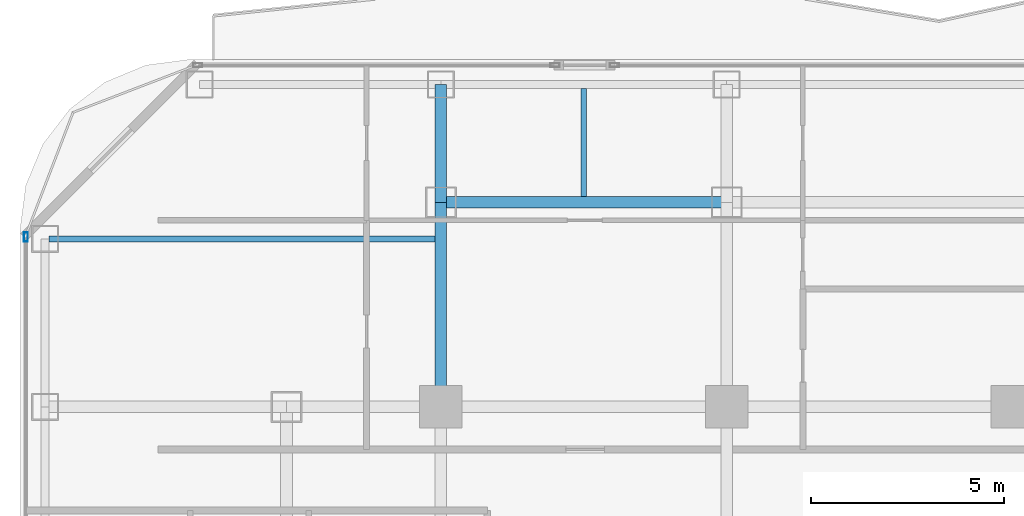
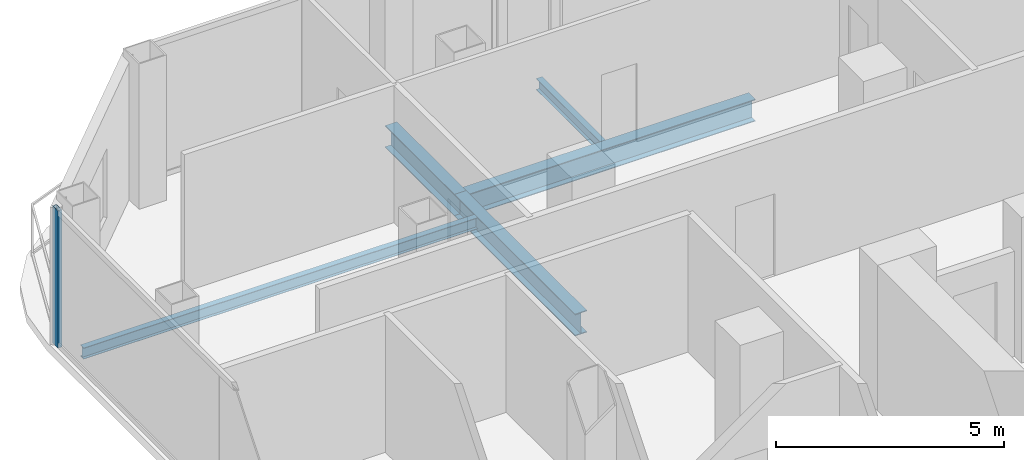
# One storey, part 11 of 25: 5 beams, 1 member, 1 element without a shape of its own.
"""IFC4 building model written with IfcOpenShell, lengths in metres."""

from ifc_helpers import new_model, si_unit, direction, frame, origin, origin_2d, place, context, subcontext, project, spatial, hollow_rectangle, i_section, extrude, material, layer, layer_set, material_profile, profile_set, type_object, element, aggregate, save


model = new_model("IFC4")

# Units and contexts
model_context = context("Model", 3, precision=1e-05, world=origin(), true_north=direction((0.0, 1.0)))
body_context = subcontext(model_context, "Body", "Model", "MODEL_VIEW")
ifc_project = project(units=[si_unit("LENGTHUNIT", "METRE"), si_unit("AREAUNIT", "SQUARE_METRE"), si_unit("VOLUMEUNIT", "CUBIC_METRE"), si_unit("PLANEANGLEUNIT", "RADIAN"), si_unit("MASSUNIT", "GRAM", prefix="KILO")], contexts=[model_context])

# Site, building, storey
site_placement = place(None, origin())
site = spatial("IfcSite", under=ifc_project, at=site_placement, CompositionType="ELEMENT")
building_placement = place(site_placement, origin())
building = spatial("IfcBuilding", under=site, at=building_placement, Name="Khorvyn Point Tower", CompositionType="ELEMENT")
storey_placement = place(building_placement, frame((0.0, 0.0, 171.89990234375)))
storey = spatial("IfcBuildingStorey", under=building, at=storey_placement, Name="L42", CompositionType="ELEMENT", Elevation=171.89990234375)

# Curtain wall, member
ifc_material_1 = material(Name="Anodised aluminium 6063-T6 and laminated Low-E glass", Category="aluminium")
ifc_layer = layer(ifc_material_1, 0.18994140625)
ifc_layer_set = layer_set([ifc_layer], Name="Stick-Built Acoustic Curtain Wall CW-SYS-03")
curtain_wall_type = type_object("IfcCurtainWallType", Name="Stick-Built Acoustic Curtain Wall CW-SYS-03", PredefinedType="NOTDEFINED", material=ifc_layer_set)
curtain_wall_placement = place(storey_placement, origin())
curtain_wall = element("IfcCurtainWall", 1, at=curtain_wall_placement, inside=storey, type_object=curtain_wall_type, Name="Curtain Wall", PredefinedType="NOTDEFINED")
ifc_material_2 = material(Name="Anodised aluminium 6063-T6", Category="aluminium")
ifc_material_profile_1 = material_profile(ifc_material_2, hollow_rectangle(XDim=0.10009765625, YDim=0.239990234375, WallThickness=0.0048828125, at=origin_2d()))
ifc_profile_set_1 = profile_set([ifc_material_profile_1], Name="Anodised aluminium 6063-T6 ALU-MUL-100x240")
member_type = type_object("IfcMemberType", Name="Anodised Aluminium 6063-T6 Mullion ALU-MUL-100x240", PredefinedType="MULLION", material=ifc_profile_set_1)
member_placement = place(storey_placement, frame((-25.550048828125, 19.199951171875, 0.0), z_axis=(0.0, 0.0, 1.0), x_axis=(-1.0, 0.0, 0.0)))
member = element("IfcMember", 2, at=member_placement, type_object=member_type, Name="Transom", PredefinedType="MULLION", context=body_context, shape_type="SweptSolid", body=[
    extrude(hollow_rectangle(XDim=0.10009765625, YDim=0.239990234375, WallThickness=0.0048828125, at=origin_2d()), origin(), (0.0, 0.0, 1.0), 3.68017578125),
])
aggregate(curtain_wall, [member])

# Beams
ifc_material_3 = material(Name="Steel S355", Category="steel")
ifc_material_profile_2 = material_profile(ifc_material_3, i_section(OverallWidth=0.300048828125, OverallDepth=0.587890625, WebThickness=0.011962890625, FlangeThickness=0.02001953125, at=origin_2d()))
ifc_profile_set_2 = profile_set([ifc_material_profile_2], Name="Steel S355 H588x300x12x20")
beam_type_1 = type_object("IfcBeamType", Name="Steel S355 Beam H588x300x12x20", PredefinedType="BEAM", material=ifc_profile_set_2)
beam_1_placement = place(storey_placement, frame((-14.800048828125, 20.10009765625, -0.513916015625), z_axis=(1.0, 0.0, 0.0), x_axis=(0.0, 1.0, 0.0)))
element("IfcBeam", 3, at=beam_1_placement, inside=storey, type_object=beam_type_1, Name="Beam", PredefinedType="BEAM", context=body_context, shape_type="SweptSolid", body=[
    extrude(i_section(OverallWidth=0.300048828125, OverallDepth=0.587890625, WebThickness=0.011962890625, FlangeThickness=0.02001953125, at=origin_2d()), origin(), (0.0, 0.0, 1.0), 7.400146484375),
])
beam_2_placement = place(storey_placement, frame((-14.800048828125, 14.800048828125, -0.513916015625), z_axis=(0.0, 1.0, 0.0), x_axis=(-1.0, 0.0, 0.0)))
element("IfcBeam", 4, at=beam_2_placement, inside=storey, type_object=beam_type_1, Name="Beam", PredefinedType="BEAM", context=body_context, shape_type="SweptSolid", body=[
    extrude(i_section(OverallWidth=0.300048828125, OverallDepth=0.587890625, WebThickness=0.011962890625, FlangeThickness=0.02001953125, at=origin_2d()), origin(), (0.0, 0.0, 1.0), 5.300048828125),
])
beam_3_placement = place(storey_placement, frame((-14.800048828125, 20.10009765625, -0.513916015625), z_axis=(0.0, 1.0, 0.0), x_axis=(-1.0, 0.0, 0.0)))
element("IfcBeam", 5, at=beam_3_placement, inside=storey, type_object=beam_type_1, Name="Beam", PredefinedType="BEAM", context=body_context, shape_type="SweptSolid", body=[
    extrude(i_section(OverallWidth=0.300048828125, OverallDepth=0.587890625, WebThickness=0.011962890625, FlangeThickness=0.02001953125, at=origin_2d()), origin(), (0.0, 0.0, 1.0), 3.0498046875),
])
ifc_material_profile_3 = material_profile(ifc_material_3, i_section(OverallWidth=0.14990234375, OverallDepth=0.300048828125, WebThickness=0.006591796875, FlangeThickness=0.009033203125, at=origin_2d()))
ifc_profile_set_3 = profile_set([ifc_material_profile_3], Name="Steel S355 H300x150x6.5x9")
beam_type_2 = type_object("IfcBeamType", Name="Steel S355 Joist H300x150x6.5x9", PredefinedType="JOIST", material=ifc_profile_set_3)
beam_4_placement = place(storey_placement, frame((-11.10009765625, 20.25, -0.369873046875), z_axis=(0.0, 1.0, 0.0), x_axis=(-1.0, 0.0, 0.0)))
element("IfcBeam", 6, at=beam_4_placement, inside=storey, type_object=beam_type_2, Name="Beam", PredefinedType="JOIST", context=body_context, shape_type="SweptSolid", body=[
    extrude(i_section(OverallWidth=0.14990234375, OverallDepth=0.300048828125, WebThickness=0.006591796875, FlangeThickness=0.009033203125, at=origin_2d()), origin(), (0.0, 0.0, 1.0), 2.800048828125),
])
beam_5_placement = place(storey_placement, frame((-24.949951171875, 19.14990234375, -0.369873046875), z_axis=(1.0, 0.0, 0.0), x_axis=(0.0, 1.0, 0.0)))
element("IfcBeam", 7, at=beam_5_placement, inside=storey, type_object=beam_type_2, Name="Beam", PredefinedType="JOIST", context=body_context, shape_type="SweptSolid", body=[
    extrude(i_section(OverallWidth=0.14990234375, OverallDepth=0.300048828125, WebThickness=0.006591796875, FlangeThickness=0.009033203125, at=origin_2d()), origin(), (0.0, 0.0, 1.0), 10.0),
])

save(model, "model.ifc")
